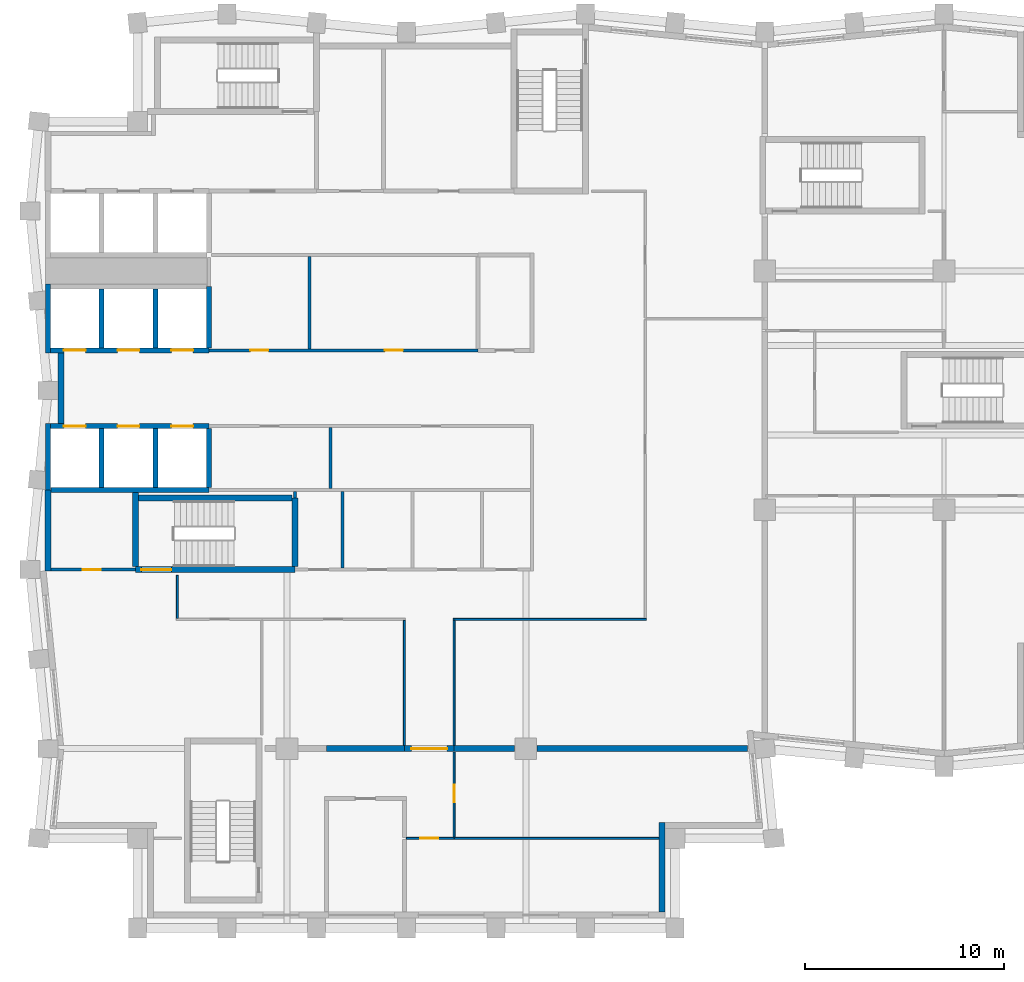
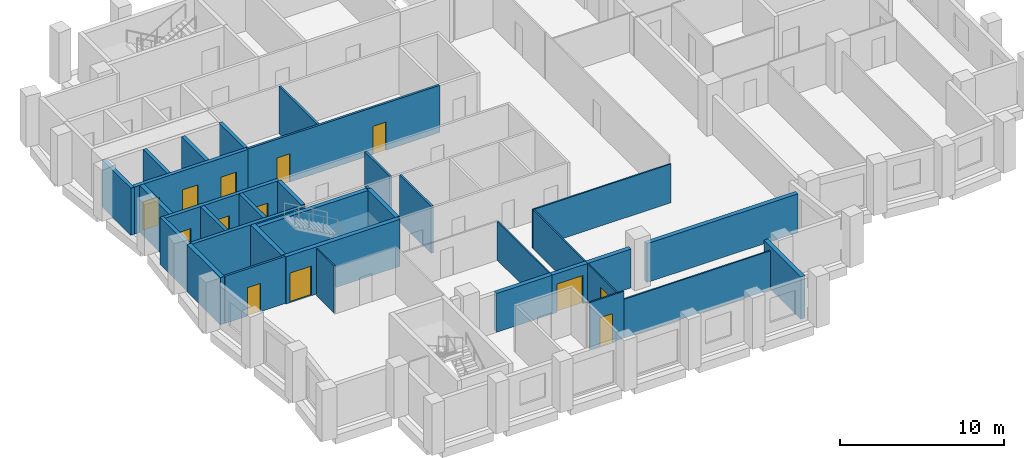
# One storey, part 3 of 8: 35 walls, 13 doors, 13 openings.
"""IFC4 building model written with IfcOpenShell, lengths in metres."""

from ifc_helpers import new_model, si_unit, direction, frame, frame_2d, origin, place, context, subcontext, project, spatial, rectangle, extrude, material, layer, layer_set, type_object, element, fill, save


model = new_model("IFC4")

# Units and contexts
model_context = context("Model", 3, precision=1e-05, world=origin(), true_north=direction((0.0, 1.0)))
body_context = subcontext(model_context, "Body", "Model", "MODEL_VIEW")
ifc_project = project(units=[si_unit("LENGTHUNIT", "METRE"), si_unit("AREAUNIT", "SQUARE_METRE"), si_unit("VOLUMEUNIT", "CUBIC_METRE"), si_unit("PLANEANGLEUNIT", "RADIAN"), si_unit("MASSUNIT", "GRAM", prefix="KILO")], contexts=[model_context])

# Site, building, storey
site_placement = place(None, origin())
site = spatial("IfcSite", under=ifc_project, at=site_placement, CompositionType="ELEMENT")
building_placement = place(site_placement, origin())
building = spatial("IfcBuilding", under=site, at=building_placement, Name="Brondeck Convention Tower", CompositionType="ELEMENT")
storey_placement = place(building_placement, frame((0.0, 0.0, 229.199951171875)))
storey = spatial("IfcBuildingStorey", under=building, at=storey_placement, Name="L56", CompositionType="ELEMENT", Elevation=229.199951171875)

# Wall
ifc_material_1 = material(Name="Concrete compartment wall C30/37", Category="concrete")
ifc_layer_1 = layer(ifc_material_1, 0.300048828125)
ifc_layer_set_1 = layer_set([ifc_layer_1], Name="Compartment wall 300")
wall_type_1 = type_object("IfcWallType", Name="Compartment wall 300", PredefinedType="PARTITIONING", material=ifc_layer_set_1)
wall_1_placement = place(storey_placement, frame((14.0, 27.0, 0.0), z_axis=(0.0, 0.0, 1.0), x_axis=(1.0, 0.0, 0.0)))
element("IfcWall", 1, at=wall_1_placement, inside=storey, type_object=wall_type_1, Name="FLR-L56-W015", PredefinedType="PARTITIONING", context=body_context, shape_type="SweptSolid", body=[
    extrude(rectangle(XDim=3.89990234375, YDim=0.300048828125, at=frame_2d((1.949951171875, 0.0))), origin(), (0.0, 0.0, 1.0), 2.880126953125),
])

# Wall, opening, door
wall_2_placement = place(storey_placement, frame((20.39990234375, 27.0, 0.0), z_axis=(0.0, 0.0, 1.0), x_axis=(-1.0, 0.0, 0.0)))
wall_2 = element("IfcWall", 2, at=wall_2_placement, inside=storey, type_object=wall_type_1, Name="FLR-L56-W016", PredefinedType="PARTITIONING", context=body_context, shape_type="SweptSolid", body=[
    extrude(rectangle(XDim=2.5, YDim=0.300048828125, at=frame_2d((1.25, 0.0))), origin(), (0.0, 0.0, 1.0), 2.880126953125),
])
opening_1_placement = place(wall_2_placement, frame((0.35009765625, 0.0, 0.0)))
opening_1 = element("IfcOpeningElement", 3, at=opening_1_placement, cuts=wall_2, Name="Opening OF-M-015", PredefinedType="OPENING", context=body_context, shape_type="SweptSolid", body=[
    extrude(rectangle(XDim=1.800048828125, YDim=2.10009765625, at=frame_2d((0.89990234375, 1.050048828125))), frame((0.0, 0.159912109375, 0.0), z_axis=(0.0, -1.0, 0.0), x_axis=(1.0, 0.0, 0.0)), (0.0, 0.0, 1.0), 0.320068359375),
])
ifc_material_2 = material(Name="Steel fire door pair", Category="steel")
door_type_1 = type_object("IfcDoorType", Name="Fire door pair 1800", OperationType="DOUBLE_DOOR_SINGLE_SWING", PredefinedType="DOOR", material=ifc_material_2)
door_1_placement = place(opening_1_placement, origin())
door_1 = element("IfcDoor", 4, at=door_1_placement, inside=storey, type_object=door_type_1, Name="Door OF-M-015", OperationType="DOUBLE_DOOR_SINGLE_SWING", OverallHeight=2.10009765625, OverallWidth=1.800048828125, PredefinedType="DOOR", context=body_context, shape_type="SweptSolid", body=[
    extrude(rectangle(XDim=1.800048828125, YDim=2.10009765625, at=frame_2d((0.89990234375, 1.050048828125))), frame((0.0, 0.02490234375, 0.0), z_axis=(0.0, -1.0, 0.0), x_axis=(1.0, 0.0, 0.0)), (0.0, 0.0, 1.0), 0.050048828125),
])
fill(opening_1, door_1)

# Walls
wall_3_placement = place(storey_placement, frame((20.39990234375, 27.0, 0.0), z_axis=(0.0, 0.0, 1.0), x_axis=(1.0, 0.0, 0.0)))
element("IfcWall", 5, at=wall_3_placement, inside=storey, type_object=wall_type_1, Name="FLR-L56-W017", PredefinedType="PARTITIONING", context=body_context, shape_type="SweptSolid", body=[
    extrude(rectangle(XDim=3.045166015625, YDim=0.300048828125, at=frame_2d((1.5224609375, 0.0))), origin(), (0.0, 0.0, 1.0), 2.880126953125),
])
wall_4_placement = place(storey_placement, frame((24.554931640625, 27.0, 0.0), z_axis=(0.0, 0.0, 1.0), x_axis=(1.0, 0.0, 0.0)))
element("IfcWall", 6, at=wall_4_placement, inside=storey, type_object=wall_type_1, Name="FLR-L56-W018", PredefinedType="PARTITIONING", context=body_context, shape_type="SweptSolid", body=[
    extrude(rectangle(XDim=10.591064453125, YDim=0.300048828125, at=frame_2d((5.29541015625, 0.0))), origin(), (0.0, 0.0, 1.0), 2.880126953125),
])
ifc_material_3 = material(Name="Concrete C50/60", Category="concrete")
ifc_layer_2 = layer(ifc_material_3, 0.300048828125)
ifc_layer_set_2 = layer_set([ifc_layer_2], Name="Core outer wall 300 Concrete C50/60")
wall_type_2 = type_object("IfcWallType", Name="Core outer wall 300 Concrete C50/60", PredefinedType="SHEAR", material=ifc_layer_set_2)
wall_5_placement = place(storey_placement, frame((0.0, 35.925048828125, 0.0), z_axis=(0.0, 0.0, 1.0), x_axis=(0.0, 1.0, 0.0)))
element("IfcWall", 7, at=wall_5_placement, inside=storey, type_object=wall_type_2, Name="L56 core wall", PredefinedType="SHEAR", context=body_context, shape_type="SweptSolid", body=[
    extrude(rectangle(XDim=4.074951171875, YDim=0.300048828125, at=frame_2d((2.03759765625, 0.0))), origin(), (0.0, 0.0, 1.0), 3.5),
])
wall_6_placement = place(storey_placement, frame((0.64990234375, 43.324951171875, 0.0), z_axis=(0.0, 0.0, 1.0), x_axis=(0.0, 1.0, 0.0)))
element("IfcWall", 8, at=wall_6_placement, inside=storey, type_object=wall_type_2, Name="L56 core wall", PredefinedType="SHEAR", context=body_context, shape_type="SweptSolid", body=[
    extrude(rectangle(XDim=3.550048828125, YDim=0.300048828125, at=frame_2d((1.77490234375, 0.0))), origin(), (0.0, 0.0, 1.0), 3.5),
])

# Wall, opening, door
ifc_material_4 = material(Name="Fire-rated gypsum board partition")
ifc_layer_3 = layer(ifc_material_4, 0.14990234375)
ifc_layer_set_3 = layer_set([ifc_layer_3], Name="Core partition 150 EI 60")
wall_type_3 = type_object("IfcWallType", Name="Core partition 150 EI 60", PredefinedType="PARTITIONING", material=ifc_layer_set_3)
wall_7_placement = place(storey_placement, frame((0.14990234375, 36.0, 0.0), z_axis=(0.0, 0.0, 1.0), x_axis=(1.0, 0.0, 0.0)))
wall_7 = element("IfcWall", 9, at=wall_7_placement, inside=storey, type_object=wall_type_3, Name="L56 core wall", PredefinedType="PARTITIONING", context=body_context, shape_type="SweptSolid", body=[
    extrude(rectangle(XDim=4.25, YDim=0.14990234375, at=frame_2d((2.125, 0.0))), origin(), (0.0, 0.0, 1.0), 3.5),
])
opening_2_placement = place(wall_7_placement, frame((1.60009765625, 0.0, 0.0)))
opening_2 = element("IfcOpeningElement", 10, at=opening_2_placement, cuts=wall_7, Name="Opening C30-07", PredefinedType="OPENING", context=body_context, shape_type="SweptSolid", body=[
    extrude(rectangle(XDim=0.89990234375, YDim=2.10009765625, at=frame_2d((0.449951171875, 1.050048828125))), frame((0.0, 0.0849609375, 0.0), z_axis=(0.0, -1.0, 0.0), x_axis=(1.0, 0.0, 0.0)), (0.0, 0.0, 1.0), 0.169921875),
])
ifc_material_5 = material(Name="Steel fire door", Category="steel")
door_type_2 = type_object("IfcDoorType", Name="Room door 900x2100 EI 60", OperationType="NOTDEFINED", PredefinedType="DOOR", material=ifc_material_5)
door_2_placement = place(opening_2_placement, origin())
door_2 = element("IfcDoor", 11, at=door_2_placement, inside=storey, type_object=door_type_2, Name="L56 Room door FRW-1", OperationType="SINGLE_SWING_LEFT", OverallHeight=2.10009765625, OverallWidth=0.89990234375, PredefinedType="DOOR", context=body_context, shape_type="SweptSolid", body=[
    extrude(rectangle(XDim=0.89990234375, YDim=2.10009765625, at=frame_2d((0.449951171875, 1.050048828125))), frame((0.0, 0.02490234375, 0.0), z_axis=(0.0, -1.0, 0.0), x_axis=(1.0, 0.0, 0.0)), (0.0, 0.0, 1.0), 0.050048828125),
])
fill(opening_2, door_2)

# Wall, openings, doors
wall_8_placement = place(storey_placement, frame((8.10009765625, 47.0, 0.0), z_axis=(0.0, 0.0, 1.0), x_axis=(1.0, 0.0, 0.0)))
wall_8 = element("IfcWall", 12, at=wall_8_placement, inside=storey, type_object=wall_type_3, Name="L56 core wall", PredefinedType="PARTITIONING", context=body_context, shape_type="SweptSolid", body=[
    extrude(rectangle(XDim=13.5, YDim=0.14990234375, at=frame_2d((6.75, 0.0))), origin(), (0.0, 0.0, 1.0), 3.5),
])
opening_3_placement = place(wall_8_placement, frame((2.074951171875, 0.0, 0.0)))
opening_3 = element("IfcOpeningElement", 13, at=opening_3_placement, cuts=wall_8, Name="Opening C30-08", PredefinedType="OPENING", context=body_context, shape_type="SweptSolid", body=[
    extrude(rectangle(XDim=0.89990234375, YDim=2.10009765625, at=frame_2d((0.449951171875, 1.050048828125))), frame((0.0, 0.0849609375, 0.0), z_axis=(0.0, -1.0, 0.0), x_axis=(1.0, 0.0, 0.0)), (0.0, 0.0, 1.0), 0.169921875),
])
opening_4_placement = place(wall_8_placement, frame((8.824951171875, 0.0, 0.0)))
opening_4 = element("IfcOpeningElement", 14, at=opening_4_placement, cuts=wall_8, Name="Opening C30-09", PredefinedType="OPENING", context=body_context, shape_type="SweptSolid", body=[
    extrude(rectangle(XDim=0.89990234375, YDim=2.10009765625, at=frame_2d((0.449951171875, 1.050048828125))), frame((0.0, 0.0849609375, 0.0), z_axis=(0.0, -1.0, 0.0), x_axis=(1.0, 0.0, 0.0)), (0.0, 0.0, 1.0), 0.169921875),
])
door_3_placement = place(opening_3_placement, origin())
door_3 = element("IfcDoor", 15, at=door_3_placement, inside=storey, type_object=door_type_2, Name="L56 Room door FZ-N-8.1-1", OperationType="SINGLE_SWING_LEFT", OverallHeight=2.10009765625, OverallWidth=0.89990234375, PredefinedType="DOOR", context=body_context, shape_type="SweptSolid", body=[
    extrude(rectangle(XDim=0.89990234375, YDim=2.10009765625, at=frame_2d((0.449951171875, 1.050048828125))), frame((0.0, 0.02490234375, 0.0), z_axis=(0.0, -1.0, 0.0), x_axis=(1.0, 0.0, 0.0)), (0.0, 0.0, 1.0), 0.050048828125),
])
fill(opening_3, door_3)
door_4_placement = place(opening_4_placement, origin())
door_4 = element("IfcDoor", 16, at=door_4_placement, inside=storey, type_object=door_type_2, Name="L56 Room door FZ-N-8.1-2", OperationType="SINGLE_SWING_RIGHT", OverallHeight=2.10009765625, OverallWidth=0.89990234375, PredefinedType="DOOR", context=body_context, shape_type="SweptSolid", body=[
    extrude(rectangle(XDim=0.89990234375, YDim=2.10009765625, at=frame_2d((0.449951171875, 1.050048828125))), frame((0.0, 0.02490234375, 0.0), z_axis=(0.0, -1.0, 0.0), x_axis=(1.0, 0.0, 0.0)), (0.0, 0.0, 1.0), 0.050048828125),
])
fill(opening_4, door_4)

# Walls
wall_9_placement = place(storey_placement, frame((12.39990234375, 39.60009765625, 0.0), z_axis=(0.0, 0.0, 1.0), x_axis=(0.0, 1.0, 0.0)))
element("IfcWall", 17, at=wall_9_placement, inside=storey, type_object=wall_type_3, Name="L56 core wall", PredefinedType="PARTITIONING", context=body_context, shape_type="SweptSolid", body=[
    extrude(rectangle(XDim=0.324951171875, YDim=0.14990234375, at=frame_2d((0.16259765625, 0.0))), origin(), (0.0, 0.0, 1.0), 3.5),
])
wall_10_placement = place(storey_placement, frame((13.14990234375, 47.074951171875, 0.0), z_axis=(0.0, 0.0, 1.0), x_axis=(0.0, 1.0, 0.0)))
element("IfcWall", 18, at=wall_10_placement, inside=storey, type_object=wall_type_3, Name="L56 core wall", PredefinedType="PARTITIONING", context=body_context, shape_type="SweptSolid", body=[
    extrude(rectangle(XDim=4.650146484375, YDim=0.14990234375, at=frame_2d((2.3251953125, 0.0))), origin(), (0.0, 0.0, 1.0), 3.5),
])
wall_11_placement = place(storey_placement, frame((14.199951171875, 40.074951171875, 0.0), z_axis=(0.0, 0.0, 1.0), x_axis=(0.0, 1.0, 0.0)))
element("IfcWall", 19, at=wall_11_placement, inside=storey, type_object=wall_type_3, Name="L56 core wall", PredefinedType="PARTITIONING", context=body_context, shape_type="SweptSolid", body=[
    extrude(rectangle(XDim=3.050048828125, YDim=0.14990234375, at=frame_2d((1.52490234375, 0.0))), origin(), (0.0, 0.0, 1.0), 3.5),
])
wall_12_placement = place(storey_placement, frame((14.800048828125, 36.074951171875, 0.0), z_axis=(0.0, 0.0, 1.0), x_axis=(0.0, 1.0, 0.0)))
element("IfcWall", 20, at=wall_12_placement, inside=storey, type_object=wall_type_3, Name="L56 core wall", PredefinedType="PARTITIONING", context=body_context, shape_type="SweptSolid", body=[
    extrude(rectangle(XDim=3.85009765625, YDim=0.14990234375, at=frame_2d((1.925048828125, 0.0))), origin(), (0.0, 0.0, 1.0), 3.5),
])
ifc_material_6 = material(Name="Precast concrete C50/60 bronze finish", Category="concrete")
ifc_layer_4 = layer(ifc_material_6, 0.070068359375, Name="Bronze precast facing")
ifc_material_7 = material(Name="Mineral wool")
ifc_layer_5 = layer(ifc_material_7, 0.159912109375, Name="Insulation")
ifc_material_8 = material(Name="Concrete C35/45", Category="concrete")
ifc_layer_6 = layer(ifc_material_8, 0.070068359375, Name="Backing")
ifc_layer_set_4 = layer_set([ifc_layer_4, ifc_layer_5, ifc_layer_6], Name="External infill wall, precast concrete C50/60 bronze facing")
wall_type_4 = type_object("IfcWallType", Name="External infill wall, precast concrete C50/60 bronze facing", PredefinedType="SOLIDWALL", material=ifc_layer_set_4)
wall_13_placement = place(storey_placement, frame((30.85009765625, 23.300048828125, 0.0), z_axis=(0.0, 0.0, 1.0), x_axis=(0.0, -1.0, 0.0)))
element("IfcWall", 21, at=wall_13_placement, inside=storey, type_object=wall_type_4, Name="ENV-EW-L56-P2-NC-SEB18-01", PredefinedType="SOLIDWALL", context=body_context, shape_type="SweptSolid", body=[
    extrude(rectangle(XDim=4.5, YDim=0.300048828125, at=frame_2d((2.25, 0.0))), origin(), (0.0, 0.0, 1.0), 3.150146484375),
])
ifc_layer_7 = layer(ifc_material_3, 0.25)
ifc_layer_set_5 = layer_set([ifc_layer_7], Name="Lift shaft wall 250 Concrete C50/60")
wall_type_5 = type_object("IfcWallType", Name="Lift shaft wall 250 Concrete C50/60", PredefinedType="SHEAR", material=ifc_layer_set_5)
wall_14_placement = place(storey_placement, frame((0.14990234375, 40.0, 0.0), z_axis=(0.0, 0.0, 1.0), x_axis=(1.0, 0.0, 0.0)))
element("IfcWall", 22, at=wall_14_placement, inside=storey, type_object=wall_type_5, Name="L56 core wall", PredefinedType="SHEAR", context=body_context, shape_type="SweptSolid", body=[
    extrude(rectangle(XDim=7.9501953125, YDim=0.25, at=frame_2d((3.97509765625, 0.0))), origin(), (0.0, 0.0, 1.0), 3.5),
])

# Wall, openings, doors
wall_15_placement = place(storey_placement, frame((0.125, 43.199951171875, 0.0), z_axis=(0.0, 0.0, 1.0), x_axis=(1.0, 0.0, 0.0)))
wall_15 = element("IfcWall", 23, at=wall_15_placement, inside=storey, type_object=wall_type_5, Name="L56 core wall", PredefinedType="SHEAR", context=body_context, shape_type="SweptSolid", body=[
    extrude(rectangle(XDim=7.97509765625, YDim=0.25, at=frame_2d((3.987548828125, 0.0))), origin(), (0.0, 0.0, 1.0), 3.5),
])
opening_5_placement = place(wall_15_placement, frame((0.675048828125, 0.0, 0.0)))
opening_5 = element("IfcOpeningElement", 24, at=opening_5_placement, cuts=wall_15, Name="Opening C30-23", PredefinedType="OPENING", context=body_context, shape_type="SweptSolid", body=[
    extrude(rectangle(XDim=1.10009765625, YDim=2.10009765625, at=frame_2d((0.550048828125, 1.050048828125))), frame((0.0, 0.135009765625, 0.0), z_axis=(0.0, -1.0, 0.0), x_axis=(1.0, 0.0, 0.0)), (0.0, 0.0, 1.0), 0.27001953125),
])
opening_6_placement = place(wall_15_placement, frame((3.375, 0.0, 0.0)))
opening_6 = element("IfcOpeningElement", 25, at=opening_6_placement, cuts=wall_15, Name="Opening C30-24", PredefinedType="OPENING", context=body_context, shape_type="SweptSolid", body=[
    extrude(rectangle(XDim=1.10009765625, YDim=2.10009765625, at=frame_2d((0.550048828125, 1.050048828125))), frame((0.0, 0.135009765625, 0.0), z_axis=(0.0, -1.0, 0.0), x_axis=(1.0, 0.0, 0.0)), (0.0, 0.0, 1.0), 0.27001953125),
])
opening_7_placement = place(wall_15_placement, frame((6.074951171875, 0.0, 0.0)))
opening_7 = element("IfcOpeningElement", 26, at=opening_7_placement, cuts=wall_15, Name="Opening C30-25", PredefinedType="OPENING", context=body_context, shape_type="SweptSolid", body=[
    extrude(rectangle(XDim=1.10009765625, YDim=2.10009765625, at=frame_2d((0.550048828125, 1.050048828125))), frame((0.0, 0.135009765625, 0.0), z_axis=(0.0, -1.0, 0.0), x_axis=(1.0, 0.0, 0.0)), (0.0, 0.0, 1.0), 0.27001953125),
])
ifc_material_9 = material(Name="Stainless steel lift door", Category="steel")
door_type_3 = type_object("IfcDoorType", Name="Lift landing door 1100x2100 EI 180", OperationType="DOUBLE_DOOR_SLIDING", PredefinedType="DOOR", material=ifc_material_9)
door_5_placement = place(opening_5_placement, origin())
door_5 = element("IfcDoor", 27, at=door_5_placement, inside=storey, type_object=door_type_3, Name="L56 Lift landing door HR1", OperationType="DOUBLE_DOOR_SLIDING", OverallHeight=2.10009765625, OverallWidth=1.10009765625, PredefinedType="DOOR", context=body_context, shape_type="SweptSolid", body=[
    extrude(rectangle(XDim=1.10009765625, YDim=2.10009765625, at=frame_2d((0.550048828125, 1.050048828125))), frame((0.0, 0.02490234375, 0.0), z_axis=(0.0, -1.0, 0.0), x_axis=(1.0, 0.0, 0.0)), (0.0, 0.0, 1.0), 0.050048828125),
])
fill(opening_5, door_5)
door_6_placement = place(opening_6_placement, origin())
door_6 = element("IfcDoor", 28, at=door_6_placement, inside=storey, type_object=door_type_3, Name="L56 Lift landing door HR2", OperationType="DOUBLE_DOOR_SLIDING", OverallHeight=2.10009765625, OverallWidth=1.10009765625, PredefinedType="DOOR", context=body_context, shape_type="SweptSolid", body=[
    extrude(rectangle(XDim=1.10009765625, YDim=2.10009765625, at=frame_2d((0.550048828125, 1.050048828125))), frame((0.0, 0.02490234375, 0.0), z_axis=(0.0, -1.0, 0.0), x_axis=(1.0, 0.0, 0.0)), (0.0, 0.0, 1.0), 0.050048828125),
])
fill(opening_6, door_6)
door_7_placement = place(opening_7_placement, origin())
door_7 = element("IfcDoor", 29, at=door_7_placement, inside=storey, type_object=door_type_3, Name="L56 Lift landing door HR3", OperationType="DOUBLE_DOOR_SLIDING", OverallHeight=2.10009765625, OverallWidth=1.10009765625, PredefinedType="DOOR", context=body_context, shape_type="SweptSolid", body=[
    extrude(rectangle(XDim=1.10009765625, YDim=2.10009765625, at=frame_2d((0.550048828125, 1.050048828125))), frame((0.0, 0.02490234375, 0.0), z_axis=(0.0, -1.0, 0.0), x_axis=(1.0, 0.0, 0.0)), (0.0, 0.0, 1.0), 0.050048828125),
])
fill(opening_7, door_7)

wall_16_placement = place(storey_placement, frame((0.125, 47.0, 0.0), z_axis=(0.0, 0.0, 1.0), x_axis=(1.0, 0.0, 0.0)))
wall_16 = element("IfcWall", 30, at=wall_16_placement, inside=storey, type_object=wall_type_5, Name="L56 core wall", PredefinedType="SHEAR", context=body_context, shape_type="SweptSolid", body=[
    extrude(rectangle(XDim=7.97509765625, YDim=0.25, at=frame_2d((3.987548828125, 0.0))), origin(), (0.0, 0.0, 1.0), 3.5),
])
opening_8_placement = place(wall_16_placement, frame((0.675048828125, 0.0, 0.0)))
opening_8 = element("IfcOpeningElement", 31, at=opening_8_placement, cuts=wall_16, Name="Opening C30-26", PredefinedType="OPENING", context=body_context, shape_type="SweptSolid", body=[
    extrude(rectangle(XDim=1.10009765625, YDim=2.10009765625, at=frame_2d((0.550048828125, 1.050048828125))), frame((0.0, 0.135009765625, 0.0), z_axis=(0.0, -1.0, 0.0), x_axis=(1.0, 0.0, 0.0)), (0.0, 0.0, 1.0), 0.27001953125),
])
opening_9_placement = place(wall_16_placement, frame((3.375, 0.0, 0.0)))
opening_9 = element("IfcOpeningElement", 32, at=opening_9_placement, cuts=wall_16, Name="Opening C30-27", PredefinedType="OPENING", context=body_context, shape_type="SweptSolid", body=[
    extrude(rectangle(XDim=1.10009765625, YDim=2.10009765625, at=frame_2d((0.550048828125, 1.050048828125))), frame((0.0, 0.135009765625, 0.0), z_axis=(0.0, -1.0, 0.0), x_axis=(1.0, 0.0, 0.0)), (0.0, 0.0, 1.0), 0.27001953125),
])
opening_10_placement = place(wall_16_placement, frame((6.074951171875, 0.0, 0.0)))
opening_10 = element("IfcOpeningElement", 33, at=opening_10_placement, cuts=wall_16, Name="Opening C30-28", PredefinedType="OPENING", context=body_context, shape_type="SweptSolid", body=[
    extrude(rectangle(XDim=1.10009765625, YDim=2.10009765625, at=frame_2d((0.550048828125, 1.050048828125))), frame((0.0, 0.135009765625, 0.0), z_axis=(0.0, -1.0, 0.0), x_axis=(1.0, 0.0, 0.0)), (0.0, 0.0, 1.0), 0.27001953125),
])
door_8_placement = place(opening_8_placement, origin())
door_8 = element("IfcDoor", 34, at=door_8_placement, inside=storey, type_object=door_type_3, Name="L56 Lift landing door HR4", OperationType="DOUBLE_DOOR_SLIDING", OverallHeight=2.10009765625, OverallWidth=1.10009765625, PredefinedType="DOOR", context=body_context, shape_type="SweptSolid", body=[
    extrude(rectangle(XDim=1.10009765625, YDim=2.10009765625, at=frame_2d((0.550048828125, 1.050048828125))), frame((0.0, 0.02490234375, 0.0), z_axis=(0.0, -1.0, 0.0), x_axis=(1.0, 0.0, 0.0)), (0.0, 0.0, 1.0), 0.050048828125),
])
fill(opening_8, door_8)
door_9_placement = place(opening_9_placement, origin())
door_9 = element("IfcDoor", 35, at=door_9_placement, inside=storey, type_object=door_type_3, Name="L56 Lift landing door HR5", OperationType="DOUBLE_DOOR_SLIDING", OverallHeight=2.10009765625, OverallWidth=1.10009765625, PredefinedType="DOOR", context=body_context, shape_type="SweptSolid", body=[
    extrude(rectangle(XDim=1.10009765625, YDim=2.10009765625, at=frame_2d((0.550048828125, 1.050048828125))), frame((0.0, 0.02490234375, 0.0), z_axis=(0.0, -1.0, 0.0), x_axis=(1.0, 0.0, 0.0)), (0.0, 0.0, 1.0), 0.050048828125),
])
fill(opening_9, door_9)
door_10_placement = place(opening_10_placement, origin())
door_10 = element("IfcDoor", 36, at=door_10_placement, inside=storey, type_object=door_type_3, Name="L56 Lift landing door HR6", OperationType="DOUBLE_DOOR_SLIDING", OverallHeight=2.10009765625, OverallWidth=1.10009765625, PredefinedType="DOOR", context=body_context, shape_type="SweptSolid", body=[
    extrude(rectangle(XDim=1.10009765625, YDim=2.10009765625, at=frame_2d((0.550048828125, 1.050048828125))), frame((0.0, 0.02490234375, 0.0), z_axis=(0.0, -1.0, 0.0), x_axis=(1.0, 0.0, 0.0)), (0.0, 0.0, 1.0), 0.050048828125),
])
fill(opening_10, door_10)

# Walls
wall_17_placement = place(storey_placement, frame((0.0, 40.0, 0.0), z_axis=(0.0, 0.0, 1.0), x_axis=(0.0, 1.0, 0.0)))
element("IfcWall", 37, at=wall_17_placement, inside=storey, type_object=wall_type_5, Name="L56 core wall", PredefinedType="SHEAR", context=body_context, shape_type="SweptSolid", body=[
    extrude(rectangle(XDim=3.324951171875, YDim=0.25, at=frame_2d((1.66259765625, 0.0))), origin(), (0.0, 0.0, 1.0), 3.5),
])
wall_18_placement = place(storey_placement, frame((0.0, 46.875, 0.0), z_axis=(0.0, 0.0, 1.0), x_axis=(0.0, 1.0, 0.0)))
element("IfcWall", 38, at=wall_18_placement, inside=storey, type_object=wall_type_5, Name="L56 core wall", PredefinedType="SHEAR", context=body_context, shape_type="SweptSolid", body=[
    extrude(rectangle(XDim=3.47509765625, YDim=0.25, at=frame_2d((1.737548828125, 0.0))), origin(), (0.0, 0.0, 1.0), 3.5),
])
for number, where, z_axis, x_axis, name in (
    (39, (2.699951171875, 40.125, 0.0), (0.0, 0.0, 1.0), (0.0, 1.0, 0.0), "L56 core wall"),
    (40, (2.699951171875, 47.125, 0.0), (0.0, 0.0, 1.0), (0.0, 1.0, 0.0), "L56 core wall"),
    (41, (5.39990234375, 40.125, 0.0), (0.0, 0.0, 1.0), (0.0, 1.0, 0.0), "L56 core wall"),
    (42, (5.39990234375, 47.125, 0.0), (0.0, 0.0, 1.0), (0.0, 1.0, 0.0), "L56 core wall"),
    (43, (8.10009765625, 40.125, 0.0), (0.0, 0.0, 1.0), (0.0, 1.0, 0.0), "L56 core wall"),
):
    element("IfcWall", number, at=place(storey_placement, frame(where, z_axis=z_axis, x_axis=x_axis)), inside=storey, type_object=wall_type_5, Name=name, PredefinedType="SHEAR", context=body_context, shape_type="SweptSolid", body=[
        extrude(rectangle(XDim=2.949951171875, YDim=0.25, at=frame_2d((1.47509765625, 0.0))), origin(), (0.0, 0.0, 1.0), 3.5),
    ])
wall_19_placement = place(storey_placement, frame((8.10009765625, 47.125, 0.0), z_axis=(0.0, 0.0, 1.0), x_axis=(0.0, 1.0, 0.0)))
element("IfcWall", 44, at=wall_19_placement, inside=storey, type_object=wall_type_5, Name="L56 core wall", PredefinedType="SHEAR", context=body_context, shape_type="SweptSolid", body=[
    extrude(rectangle(XDim=3.074951171875, YDim=0.25, at=frame_2d((1.53759765625, 0.0))), origin(), (0.0, 0.0, 1.0), 3.5),
])

# Wall, opening, door
ifc_material_10 = material(Name="Gypsum board partition on steel studs", Category="steel")
ifc_layer_8 = layer(ifc_material_10, 0.10009765625)
ifc_layer_set_6 = layer_set([ifc_layer_8], Name="Room partition 100")
wall_type_6 = type_object("IfcWallType", Name="Room partition 100", PredefinedType="PARTITIONING", material=ifc_layer_set_6)
wall_20_placement = place(storey_placement, frame((20.39990234375, 22.5, 0.0), z_axis=(0.0, 0.0, 1.0), x_axis=(-1.0, 0.0, 0.0)))
wall_20 = element("IfcWall", 45, at=wall_20_placement, inside=storey, type_object=wall_type_6, Name="FLR-L56-W003", PredefinedType="PARTITIONING", context=body_context, shape_type="SweptSolid", body=[
    extrude(rectangle(XDim=2.39990234375, YDim=0.10009765625, at=frame_2d((1.199951171875, 0.0))), origin(), (0.0, 0.0, 1.0), 3.47998046875),
])
opening_11_placement = place(wall_20_placement, frame((0.800048828125, 0.0, 0.0)))
opening_11 = element("IfcOpeningElement", 46, at=opening_11_placement, cuts=wall_20, Name="Opening OF-M-009", PredefinedType="OPENING", context=body_context, shape_type="SweptSolid", body=[
    extrude(rectangle(XDim=0.89990234375, YDim=2.10009765625, at=frame_2d((0.449951171875, 1.050048828125))), frame((0.0, 0.06005859375, 0.0), z_axis=(0.0, -1.0, 0.0), x_axis=(1.0, 0.0, 0.0)), (0.0, 0.0, 1.0), 0.1201171875),
])
ifc_material_11 = material(Name="Solid timber door leaf", Category="wood")
door_type_4 = type_object("IfcDoorType", Name="Single door 900", OperationType="NOTDEFINED", PredefinedType="DOOR", material=ifc_material_11)
door_11_placement = place(opening_11_placement, origin())
door_11 = element("IfcDoor", 47, at=door_11_placement, inside=storey, type_object=door_type_4, Name="Door OF-M-009", OperationType="SINGLE_SWING_LEFT", OverallHeight=2.10009765625, OverallWidth=0.89990234375, PredefinedType="DOOR", context=body_context, shape_type="SweptSolid", body=[
    extrude(rectangle(XDim=0.89990234375, YDim=2.10009765625, at=frame_2d((0.449951171875, 1.050048828125))), frame((0.0, 0.02490234375, 0.0), z_axis=(0.0, -1.0, 0.0), x_axis=(1.0, 0.0, 0.0)), (0.0, 0.0, 1.0), 0.050048828125),
])
fill(opening_11, door_11)

# Wall
wall_21_placement = place(storey_placement, frame((20.39990234375, 22.5, 0.0), z_axis=(0.0, 0.0, 1.0), x_axis=(1.0, 0.0, 0.0)))
element("IfcWall", 48, at=wall_21_placement, inside=storey, type_object=wall_type_6, Name="FLR-L56-W004", PredefinedType="PARTITIONING", context=body_context, shape_type="SweptSolid", body=[
    extrude(rectangle(XDim=10.280029296875, YDim=0.10009765625, at=frame_2d((5.14013671875, 0.0))), origin(), (0.0, 0.0, 1.0), 2.880126953125),
])

# Wall, opening, door
wall_22_placement = place(storey_placement, frame((20.39990234375, 26.830078125, 0.0), z_axis=(0.0, 0.0, 1.0), x_axis=(0.0, -1.0, 0.0)))
wall_22 = element("IfcWall", 49, at=wall_22_placement, inside=storey, type_object=wall_type_6, Name="FLR-L56-W011", PredefinedType="PARTITIONING", context=body_context, shape_type="SweptSolid", body=[
    extrude(rectangle(XDim=4.280029296875, YDim=0.10009765625, at=frame_2d((2.14013671875, 0.0))), origin(), (0.0, 0.0, 1.0), 2.880126953125),
])
opening_12_placement = place(wall_22_placement, frame((1.6298828125, 0.0, 0.0)))
opening_12 = element("IfcOpeningElement", 50, at=opening_12_placement, cuts=wall_22, Name="Opening OF-M-010", PredefinedType="OPENING", context=body_context, shape_type="SweptSolid", body=[
    extrude(rectangle(XDim=0.89990234375, YDim=2.10009765625, at=frame_2d((0.449951171875, 1.050048828125))), frame((0.0, 0.06005859375, 0.0), z_axis=(0.0, -1.0, 0.0), x_axis=(1.0, 0.0, 0.0)), (0.0, 0.0, 1.0), 0.1201171875),
])
door_12_placement = place(opening_12_placement, origin())
door_12 = element("IfcDoor", 51, at=door_12_placement, inside=storey, type_object=door_type_4, Name="Door OF-M-010", OperationType="SINGLE_SWING_LEFT", OverallHeight=2.10009765625, OverallWidth=0.89990234375, PredefinedType="DOOR", context=body_context, shape_type="SweptSolid", body=[
    extrude(rectangle(XDim=0.89990234375, YDim=2.10009765625, at=frame_2d((0.449951171875, 1.050048828125))), frame((0.0, 0.02490234375, 0.0), z_axis=(0.0, -1.0, 0.0), x_axis=(1.0, 0.0, 0.0)), (0.0, 0.0, 1.0), 0.050048828125),
])
fill(opening_12, door_12)

# Walls
for number, where, z_axis, x_axis, name in (
    (52, (17.89990234375, 27.169921875, 0.0), (0.0, 0.0, 1.0), (0.0, 1.0, 0.0), "FLR-L56-W019"),
    (53, (20.39990234375, 33.449951171875, 0.0), (0.0, 0.0, 1.0), (0.0, -1.0, 0.0), "FLR-L56-W025"),
):
    element("IfcWall", number, at=place(storey_placement, frame(where, z_axis=z_axis, x_axis=x_axis)), inside=storey, type_object=wall_type_6, Name=name, PredefinedType="PARTITIONING", context=body_context, shape_type="SweptSolid", body=[
        extrude(rectangle(XDim=6.280029296875, YDim=0.10009765625, at=frame_2d((3.14013671875, 0.0))), origin(), (0.0, 0.0, 1.0), 2.880126953125),
    ])
wall_23_placement = place(storey_placement, frame((30.050048828125, 33.5, 0.0), z_axis=(0.0, 0.0, 1.0), x_axis=(-1.0, 0.0, 0.0)))
element("IfcWall", 54, at=wall_23_placement, inside=storey, type_object=wall_type_6, Name="FLR-L56-W028", PredefinedType="PARTITIONING", context=body_context, shape_type="SweptSolid", body=[
    extrude(rectangle(XDim=9.699951171875, YDim=0.10009765625, at=frame_2d((4.85009765625, 0.0))), origin(), (0.0, 0.0, 1.0), 2.880126953125),
])
wall_24_placement = place(storey_placement, frame((6.5, 33.550048828125, 0.0), z_axis=(0.0, 0.0, 1.0), x_axis=(0.0, 1.0, 0.0)))
element("IfcWall", 55, at=wall_24_placement, inside=storey, type_object=wall_type_6, Name="FLR-L56-W029", PredefinedType="PARTITIONING", context=body_context, shape_type="SweptSolid", body=[
    extrude(rectangle(XDim=2.14990234375, YDim=0.10009765625, at=frame_2d((1.074951171875, 0.0))), origin(), (0.0, 0.0, 1.0), 3.47998046875),
])

# Wall, opening, door
ifc_layer_9 = layer(ifc_material_3, 0.300048828125)
ifc_layer_set_7 = layer_set([ifc_layer_9], Name="Stair enclosure wall 300 Concrete C50/60")
wall_type_7 = type_object("IfcWallType", Name="Stair enclosure wall 300 Concrete C50/60", PredefinedType="SHEAR", material=ifc_layer_set_7)
wall_25_placement = place(storey_placement, frame((4.39990234375, 36.0, 0.0), z_axis=(0.0, 0.0, 1.0), x_axis=(1.0, 0.0, 0.0)))
wall_25 = element("IfcWall", 56, at=wall_25_placement, inside=storey, type_object=wall_type_7, Name="L56 core wall", PredefinedType="SHEAR", context=body_context, shape_type="SweptSolid", body=[
    extrude(rectangle(XDim=8.0, YDim=0.300048828125, at=frame_2d((4.0, 0.0))), origin(), (0.0, 0.0, 1.0), 3.5),
])
opening_13_placement = place(wall_25_placement, frame((0.300048828125, 0.0, 0.0)))
opening_13 = element("IfcOpeningElement", 57, at=opening_13_placement, cuts=wall_25, Name="Opening C30-14", PredefinedType="OPENING", context=body_context, shape_type="SweptSolid", body=[
    extrude(rectangle(XDim=1.5, YDim=2.199951171875, at=frame_2d((0.75, 1.10009765625))), frame((0.0, 0.159912109375, 0.0), z_axis=(0.0, -1.0, 0.0), x_axis=(1.0, 0.0, 0.0)), (0.0, 0.0, 1.0), 0.320068359375),
])
door_type_5 = type_object("IfcDoorType", Name="Stair door 1500x2200 EI 90", OperationType="NOTDEFINED", PredefinedType="DOOR", material=ifc_material_5)
door_13_placement = place(opening_13_placement, origin())
door_13 = element("IfcDoor", 58, at=door_13_placement, inside=storey, type_object=door_type_5, Name="L56 Stair door ST-1", OperationType="SINGLE_SWING_RIGHT", OverallHeight=2.199951171875, OverallWidth=1.5, PredefinedType="DOOR", context=body_context, shape_type="SweptSolid", body=[
    extrude(rectangle(XDim=1.5, YDim=2.199951171875, at=frame_2d((0.75, 1.10009765625))), frame((0.0, 0.02490234375, 0.0), z_axis=(0.0, -1.0, 0.0), x_axis=(1.0, 0.0, 0.0)), (0.0, 0.0, 1.0), 0.050048828125),
])
fill(opening_13, door_13)

# Walls
wall_26_placement = place(storey_placement, frame((4.550048828125, 39.60009765625, 0.0), z_axis=(0.0, 0.0, 1.0), x_axis=(1.0, 0.0, 0.0)))
element("IfcWall", 59, at=wall_26_placement, inside=storey, type_object=wall_type_7, Name="L56 core wall", PredefinedType="SHEAR", context=body_context, shape_type="SweptSolid", body=[
    extrude(rectangle(XDim=7.699951171875, YDim=0.300048828125, at=frame_2d((3.85009765625, 0.0))), origin(), (0.0, 0.0, 1.0), 3.5),
])
wall_27_placement = place(storey_placement, frame((4.39990234375, 36.14990234375, 0.0), z_axis=(0.0, 0.0, 1.0), x_axis=(0.0, 1.0, 0.0)))
element("IfcWall", 60, at=wall_27_placement, inside=storey, type_object=wall_type_7, Name="L56 core wall", PredefinedType="SHEAR", context=body_context, shape_type="SweptSolid", body=[
    extrude(rectangle(XDim=3.72509765625, YDim=0.300048828125, at=frame_2d((1.862548828125, 0.0))), origin(), (0.0, 0.0, 1.0), 3.5),
])
wall_28_placement = place(storey_placement, frame((12.39990234375, 36.14990234375, 0.0), z_axis=(0.0, 0.0, 1.0), x_axis=(0.0, 1.0, 0.0)))
element("IfcWall", 61, at=wall_28_placement, inside=storey, type_object=wall_type_7, Name="L56 core wall", PredefinedType="SHEAR", context=body_context, shape_type="SweptSolid", body=[
    extrude(rectangle(XDim=3.4501953125, YDim=0.300048828125, at=frame_2d((1.72509765625, 0.0))), origin(), (0.0, 0.0, 1.0), 3.5),
])

save(model, "model.ifc")
